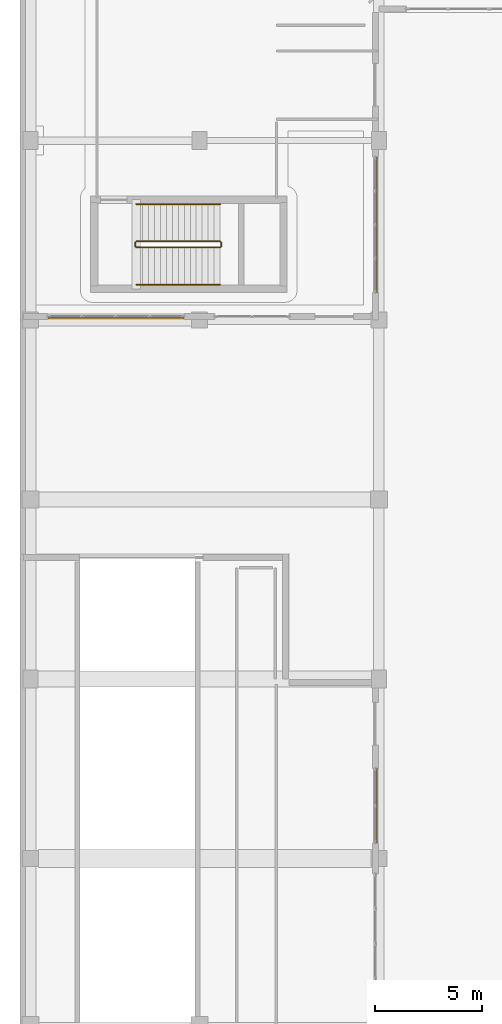
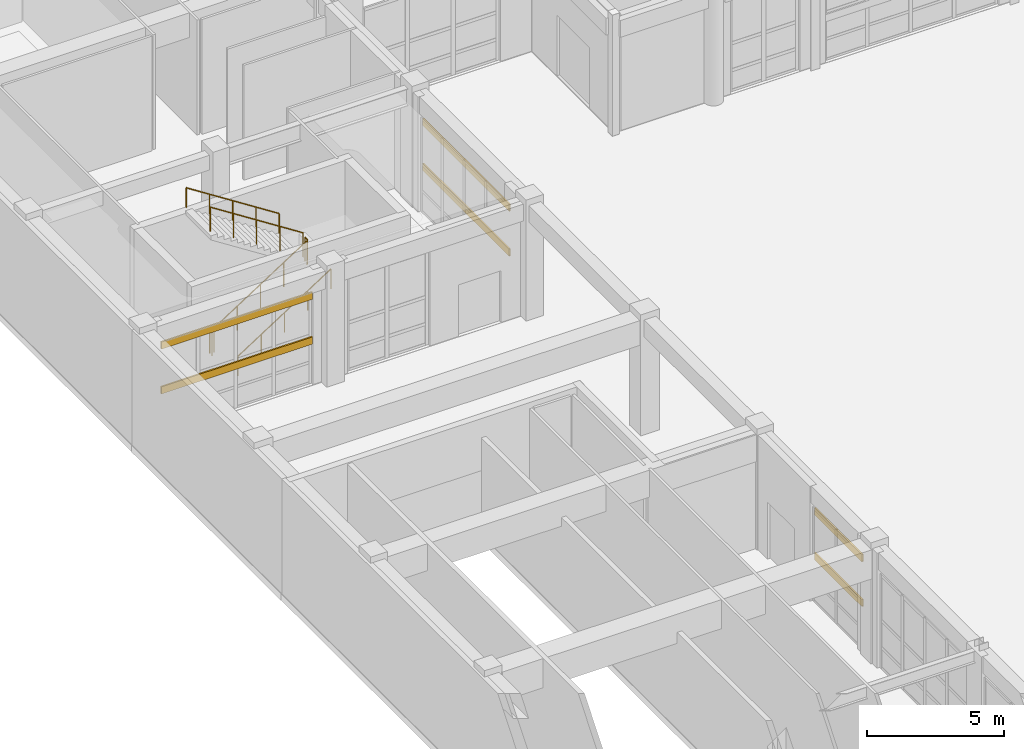
# One storey, part 138 of 148: 6 railings, 6 shading devices.
"""IFC4 building model written with IfcOpenShell, lengths in metres."""

from ifc_helpers import new_model, si_unit, direction, frame, origin, origin_2d, place, context, subcontext, project, spatial, hollow_rectangle, circle, extrude, material, material_profile, profile_set, type_object, element, save


model = new_model("IFC4")

# Units and contexts
model_context = context("Model", 3, precision=1e-05, world=origin(), true_north=direction((0.0, 1.0)))
body_context = subcontext(model_context, "Body", "Model", "MODEL_VIEW")
ifc_project = project(units=[si_unit("LENGTHUNIT", "METRE"), si_unit("AREAUNIT", "SQUARE_METRE"), si_unit("VOLUMEUNIT", "CUBIC_METRE"), si_unit("PLANEANGLEUNIT", "RADIAN"), si_unit("MASSUNIT", "GRAM", prefix="KILO")], contexts=[model_context])

# Site, building, storey
site_placement = place(None, origin())
site = spatial("IfcSite", under=ifc_project, at=site_placement, CompositionType="ELEMENT")
building_placement = place(site_placement, origin())
building = spatial("IfcBuilding", under=site, at=building_placement, Name="Quendrovan Civic Courthouse", CompositionType="ELEMENT")
storey_placement = place(building_placement, origin())
storey = spatial("IfcBuildingStorey", under=building, at=storey_placement, Name="L01", CompositionType="ELEMENT", Elevation=0.0)

# Railings
ifc_material_1 = material(Name="Painted galvanized steel", Category="steel")
railing_type_1 = type_object("IfcRailingType", Name="RL-STR-GUARD1100", PredefinedType="GUARDRAIL", material=ifc_material_1)
railing_1_placement = place(storey_placement, frame((5.449951171875, 59.800048828125, 0.179931640625)))
element("IfcRailing", 1, at=railing_1_placement, inside=storey, type_object=railing_type_1, Name="L01 ST4 stair guard 1", PredefinedType="GUARDRAIL", context=body_context, shape_type="SweptSolid", body=[
    extrude(circle(Radius=0.02392578125, at=origin_2d()), frame((0.0, 0.0, 1.076171875), z_axis=(0.841186985886, 0.0, 0.540744352514), x_axis=(0.0, 1.0, 0.0)), (0.0, 0.0, 1.0), 4.660400390625),
    extrude(circle(Radius=0.02099609375, at=origin_2d()), origin(), (0.0, 0.0, 1.0), 1.052001953125),
    extrude(circle(Radius=0.02099609375, at=origin_2d()), frame((0.97998046875, 0.0, 0.6298828125)), (0.0, 0.0, 1.0), 1.052001953125),
    extrude(circle(Radius=0.02099609375, at=origin_2d()), frame((1.9599609375, 0.0, 1.260009765625)), (0.0, 0.0, 1.0), 1.052001953125),
    extrude(circle(Radius=0.02099609375, at=origin_2d()), frame((2.940185546875, 0.0, 1.89013671875)), (0.0, 0.0, 1.0), 1.052001953125),
    extrude(circle(Radius=0.02099609375, at=origin_2d()), frame((3.920166015625, 0.0, 2.52001953125)), (0.0, 0.0, 1.0), 1.052001953125),
])
railing_2_placement = place(storey_placement, frame((9.419921875, 59.85009765625, 2.699951171875)))
element("IfcRailing", 2, at=railing_2_placement, inside=storey, type_object=railing_type_1, Name="L01 ST4 stair guard 2", PredefinedType="GUARDRAIL", context=body_context, shape_type="SweptSolid", body=[
    extrude(circle(Radius=0.02392578125, at=origin_2d()), frame((0.0, 0.0, 1.076171875), z_axis=(0.0, 1.0, 0.0), x_axis=(-1.0, 0.0, 0.0)), (0.0, 0.0, 1.0), 0.179931640625),
    extrude(circle(Radius=0.02099609375, at=origin_2d()), origin(), (0.0, 0.0, 1.0), 1.052001953125),
    extrude(circle(Radius=0.02099609375, at=origin_2d()), frame((0.0, 0.179931640625, 0.0)), (0.0, 0.0, 1.0), 1.052001953125),
])
railing_3_placement = place(storey_placement, frame((9.3701171875, 60.080078125, 2.8798828125)))
element("IfcRailing", 3, at=railing_3_placement, inside=storey, type_object=railing_type_1, Name="L01 ST4 stair guard 3", PredefinedType="GUARDRAIL", context=body_context, shape_type="SweptSolid", body=[
    extrude(circle(Radius=0.02392578125, at=origin_2d()), frame((0.0, 0.0, 1.076171875), z_axis=(-0.841186985886, 0.0, 0.540744352514), x_axis=(0.0, -1.0, 0.0)), (0.0, 0.0, 1.0), 4.660400390625),
    extrude(circle(Radius=0.02099609375, at=origin_2d()), origin(), (0.0, 0.0, 1.0), 1.052001953125),
    extrude(circle(Radius=0.02099609375, at=origin_2d()), frame((-0.97998046875, 0.0, 0.6298828125)), (0.0, 0.0, 1.0), 1.052001953125),
    extrude(circle(Radius=0.02099609375, at=origin_2d()), frame((-1.9599609375, 0.0, 1.260009765625)), (0.0, 0.0, 1.0), 1.052001953125),
    extrude(circle(Radius=0.02099609375, at=origin_2d()), frame((-2.940185546875, 0.0, 1.89013671875)), (0.0, 0.0, 1.0), 1.052001953125),
    extrude(circle(Radius=0.02099609375, at=origin_2d()), frame((-3.920166015625, 0.0, 2.52001953125)), (0.0, 0.0, 1.0), 1.052001953125),
])
railing_4_placement = place(storey_placement, frame((5.39990234375, 59.85009765625, 0.0)))
element("IfcRailing", 4, at=railing_4_placement, inside=storey, type_object=railing_type_1, Name="L01 ST4 stair guard 4", PredefinedType="GUARDRAIL", context=body_context, shape_type="SweptSolid", body=[
    extrude(circle(Radius=0.02392578125, at=origin_2d()), frame((0.0, 0.0, 1.076171875), z_axis=(0.0, 1.0, 0.0), x_axis=(-1.0, 0.0, 0.0)), (0.0, 0.0, 1.0), 0.179931640625),
    extrude(circle(Radius=0.02099609375, at=origin_2d()), origin(), (0.0, 0.0, 1.0), 1.052001953125),
    extrude(circle(Radius=0.02099609375, at=origin_2d()), frame((0.0, 0.179931640625, 0.0)), (0.0, 0.0, 1.0), 1.052001953125),
])
ifc_material_2 = material(Name="Bronze anodised aluminium", Category="aluminium")
railing_type_2 = type_object("IfcRailingType", Name="RL-STR-HAND900", PredefinedType="HANDRAIL", material=ifc_material_2)
railing_5_placement = place(storey_placement, frame((5.449951171875, 58.050048828125, 0.179931640625)))
element("IfcRailing", 5, at=railing_5_placement, inside=storey, type_object=railing_type_2, Name="L01 ST4 stair handrail 1", PredefinedType="HANDRAIL", context=body_context, shape_type="SweptSolid", body=[
    extrude(circle(Radius=0.02392578125, at=origin_2d()), frame((0.0, 0.0, 0.8759765625), z_axis=(0.841186985886, 0.0, 0.540744352514), x_axis=(0.0, 1.0, 0.0)), (0.0, 0.0, 1.0), 4.660400390625),
    extrude(circle(Radius=0.02099609375, at=origin_2d()), origin(), (0.0, 0.0, 1.0), 0.851806640625),
    extrude(circle(Radius=0.02099609375, at=origin_2d()), frame((0.97998046875, 0.0, 0.6298828125)), (0.0, 0.0, 1.0), 0.851806640625),
    extrude(circle(Radius=0.02099609375, at=origin_2d()), frame((1.9599609375, 0.0, 1.260009765625)), (0.0, 0.0, 1.0), 0.851806640625),
    extrude(circle(Radius=0.02099609375, at=origin_2d()), frame((2.940185546875, 0.0, 1.89013671875)), (0.0, 0.0, 1.0), 0.851806640625),
    extrude(circle(Radius=0.02099609375, at=origin_2d()), frame((3.920166015625, 0.0, 2.52001953125)), (0.0, 0.0, 1.0), 0.851806640625),
])
railing_6_placement = place(storey_placement, frame((9.3701171875, 61.830078125, 2.8798828125)))
element("IfcRailing", 6, at=railing_6_placement, inside=storey, type_object=railing_type_2, Name="L01 ST4 stair handrail 2", PredefinedType="HANDRAIL", context=body_context, shape_type="SweptSolid", body=[
    extrude(circle(Radius=0.02392578125, at=origin_2d()), frame((0.0, 0.0, 0.8759765625), z_axis=(-0.841186985886, 0.0, 0.540744352514), x_axis=(0.0, -1.0, 0.0)), (0.0, 0.0, 1.0), 4.660400390625),
    extrude(circle(Radius=0.02099609375, at=origin_2d()), origin(), (0.0, 0.0, 1.0), 0.851806640625),
    extrude(circle(Radius=0.02099609375, at=origin_2d()), frame((-0.97998046875, 0.0, 0.6298828125)), (0.0, 0.0, 1.0), 0.851806640625),
    extrude(circle(Radius=0.02099609375, at=origin_2d()), frame((-1.9599609375, 0.0, 1.260009765625)), (0.0, 0.0, 1.0), 0.851806640625),
    extrude(circle(Radius=0.02099609375, at=origin_2d()), frame((-2.940185546875, 0.0, 1.89013671875)), (0.0, 0.0, 1.0), 0.851806640625),
    extrude(circle(Radius=0.02099609375, at=origin_2d()), frame((-3.920166015625, 0.0, 2.52001953125)), (0.0, 0.0, 1.0), 0.851806640625),
])

# Shading devices
ifc_material_profile = material_profile(ifc_material_2, hollow_rectangle(XDim=0.06494140625, YDim=0.320068359375, WallThickness=0.0048828125, at=origin_2d()), Name="AL-LOUVRE-65x320")
ifc_profile_set = profile_set([ifc_material_profile], Name="Bronze anodised aluminium")
shading_device_type = type_object("IfcShadingDeviceType", Name="SHD-STORM-LOUVRE", PredefinedType="JALOUSIE", material=ifc_profile_set)
for number, where, z_axis, x_axis, name in (
    (7, (16.715087890625, 35.39990234375, 1.949951171875), (0.0, -1.0, 0.0), (1.0, 0.0, 0.0), "L01 Bronze Hurricane Storm Louvre SLV-001"),
    (8, (16.715087890625, 35.39990234375, 3.949951171875), (0.0, -1.0, 0.0), (1.0, 0.0, 0.0), "L01 Bronze Hurricane Storm Louvre SLV-002"),
):
    element("IfcShadingDevice", number, at=place(storey_placement, frame(where, z_axis=z_axis, x_axis=x_axis)), inside=storey, type_object=shading_device_type, Name=name, PredefinedType="JALOUSIE", context=body_context, shape_type="SweptSolid", body=[
        extrude(hollow_rectangle(XDim=0.06494140625, YDim=0.320068359375, WallThickness=0.0048828125, at=origin_2d()), origin(), (0.0, 0.0, 1.0), 3.474853515625),
    ])
for number, where, z_axis, x_axis, name in (
    (9, (16.715087890625, 64.02490234375, 1.949951171875), (0.0, -1.0, 0.0), (1.0, 0.0, 0.0), "L01 Bronze Hurricane Storm Louvre SLV-013"),
    (10, (16.715087890625, 64.02490234375, 3.949951171875), (0.0, -1.0, 0.0), (1.0, 0.0, 0.0), "L01 Bronze Hurricane Storm Louvre SLV-014"),
):
    element("IfcShadingDevice", number, at=place(storey_placement, frame(where, z_axis=z_axis, x_axis=x_axis)), inside=storey, type_object=shading_device_type, Name=name, PredefinedType="JALOUSIE", context=body_context, shape_type="SweptSolid", body=[
        extrude(hollow_rectangle(XDim=0.06494140625, YDim=0.320068359375, WallThickness=0.0048828125, at=origin_2d()), origin(), (0.0, 0.0, 1.0), 6.324951171875),
    ])
for number, where, z_axis, x_axis, name in (
    (11, (7.675048828125, 56.485107421875, 1.949951171875), (-1.0, 0.0, 0.0), (0.0, -1.0, 0.0), "L01 Bronze Hurricane Storm Louvre SLV-015"),
    (12, (7.675048828125, 56.485107421875, 3.949951171875), (-1.0, 0.0, 0.0), (0.0, -1.0, 0.0), "L01 Bronze Hurricane Storm Louvre SLV-016"),
):
    element("IfcShadingDevice", number, at=place(storey_placement, frame(where, z_axis=z_axis, x_axis=x_axis)), inside=storey, type_object=shading_device_type, Name=name, PredefinedType="JALOUSIE", context=body_context, shape_type="SweptSolid", body=[
        extrude(hollow_rectangle(XDim=0.06494140625, YDim=0.320068359375, WallThickness=0.0048828125, at=origin_2d()), origin(), (0.0, 0.0, 1.0), 6.375),
    ])

save(model, "model.ifc")
